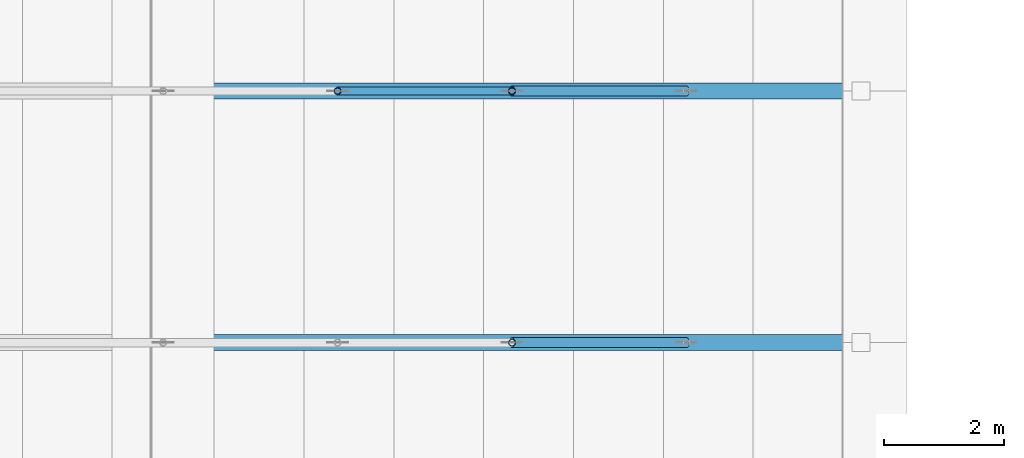
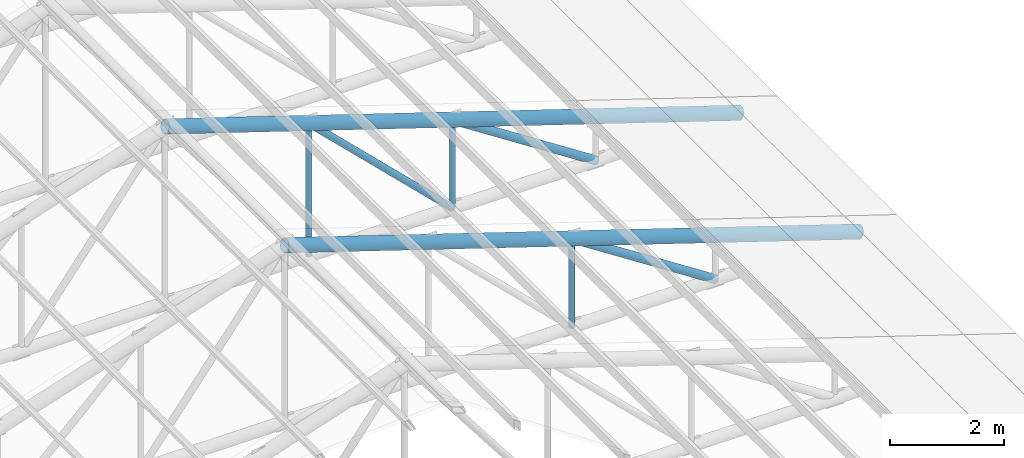
# One storey, part 47 of 95: 8 members.
"""IFC4 building model written with IfcOpenShell, lengths in metres."""

from ifc_helpers import new_model, si_unit, direction, frame, origin, origin_2d, place, context, subcontext, project, spatial, hollow_circle, extrude, material, material_profile, profile_set, type_object, element, save


model = new_model("IFC4")

# Units and contexts
model_context = context("Model", 3, precision=1e-05, world=origin(), true_north=direction((0.0, 1.0)))
body_context = subcontext(model_context, "Body", "Model", "MODEL_VIEW")
ifc_project = project(units=[si_unit("LENGTHUNIT", "METRE"), si_unit("AREAUNIT", "SQUARE_METRE"), si_unit("VOLUMEUNIT", "CUBIC_METRE"), si_unit("PLANEANGLEUNIT", "RADIAN"), si_unit("MASSUNIT", "GRAM", prefix="KILO")], contexts=[model_context])

# Site, building, storey
site_placement = place(None, origin())
site = spatial("IfcSite", under=ifc_project, at=site_placement, CompositionType="ELEMENT")
building_placement = place(site_placement, origin())
building = spatial("IfcBuilding", under=site, at=building_placement, Name="Kiln Court Media Centre", CompositionType="ELEMENT")
storey_placement = place(building_placement, frame((0.0, 0.0, 24.60009765625)))
storey = spatial("IfcBuildingStorey", under=building, at=storey_placement, Name="L05", CompositionType="ELEMENT", Elevation=24.60009765625)

# Members
ifc_material_1 = material(Name="Steel ASTM A500 Gr C", Category="steel")
ifc_material_profile_1 = material_profile(ifc_material_1, hollow_circle(Radius=0.05712890625, WallThickness=0.0048828125, at=origin_2d()), Name="CHS 114.3x5.0")
ifc_profile_set_1 = profile_set([ifc_material_profile_1], Name="Steel ASTM A500 Gr C")
member_type_1 = type_object("IfcMemberType", Name="Steel ASTM A500 Gr C CHS 114.3x5.0 truss web", PredefinedType="BRACE", material=ifc_profile_set_1)
member_1_placement = place(storey_placement, frame((52.22509765625, 50.39990234375, -0.013916015625), z_axis=(0.0, 0.0, 1.0), x_axis=(1.0, 0.0, 0.0)))
element("IfcMember", 1, at=member_1_placement, inside=storey, type_object=member_type_1, Name="foyer truss FT-07 post 6 truss web", PredefinedType="BRACE", context=body_context, shape_type="SweptSolid", body=[
    extrude(hollow_circle(Radius=0.05712890625, WallThickness=0.0048828125, at=origin_2d()), origin(), (0.0, 0.0, 1.0), 1.892822265625),
])
member_2_placement = place(storey_placement, frame((49.3125, 54.60009765625, -0.013916015625), z_axis=(0.0, 0.0, 1.0), x_axis=(1.0, 0.0, 0.0)))
element("IfcMember", 2, at=member_2_placement, inside=storey, type_object=member_type_1, Name="foyer truss FT-08 post 5 truss web", PredefinedType="BRACE", context=body_context, shape_type="SweptSolid", body=[
    extrude(hollow_circle(Radius=0.05712890625, WallThickness=0.0048828125, at=origin_2d()), origin(), (0.0, 0.0, 1.0), 2.839111328125),
])
member_3_placement = place(storey_placement, frame((52.22509765625, 54.60009765625, -0.013916015625), z_axis=(0.0, 0.0, 1.0), x_axis=(1.0, 0.0, 0.0)))
element("IfcMember", 3, at=member_3_placement, inside=storey, type_object=member_type_1, Name="foyer truss FT-08 post 6 truss web", PredefinedType="BRACE", context=body_context, shape_type="SweptSolid", body=[
    extrude(hollow_circle(Radius=0.05712890625, WallThickness=0.0048828125, at=origin_2d()), origin(), (0.0, 0.0, 1.0), 1.892822265625),
])
ifc_material_2 = material(Name="Steel ASTM A500 Gr C", Category="steel")
ifc_material_profile_2 = material_profile(ifc_material_2, hollow_circle(Radius=0.06982421875, WallThickness=0.0048828125, at=origin_2d()), Name="CHS 139.7x5.0")
ifc_profile_set_2 = profile_set([ifc_material_profile_2], Name="Steel ASTM A500 Gr C")
member_type_2 = type_object("IfcMemberType", Name="Steel ASTM A500 Gr C CHS 139.7x5.0 truss web", PredefinedType="BRACE", material=ifc_profile_set_2)
member_4_placement = place(storey_placement, frame((49.3125, 54.60009765625, 2.8251953125), z_axis=(0.716082640751, 0.0, -0.69801550958), x_axis=(0.0, 1.0, 0.0)))
element("IfcMember", 4, at=member_4_placement, inside=storey, type_object=member_type_2, Name="foyer truss FT-08 diagonal 6 truss web", PredefinedType="BRACE", context=body_context, shape_type="SweptSolid", body=[
    extrude(hollow_circle(Radius=0.06982421875, WallThickness=0.0048828125, at=origin_2d()), origin(), (0.0, 0.0, 1.0), 4.0673828125),
])
ifc_material_3 = material(Name="Steel ASTM A500 Gr C", Category="steel")
ifc_material_profile_3 = material_profile(ifc_material_3, hollow_circle(Radius=0.084228515625, WallThickness=0.00634765625, at=origin_2d()), Name="CHS 168.3x6.3")
ifc_profile_set_3 = profile_set([ifc_material_profile_3], Name="Steel ASTM A500 Gr C")
member_type_3 = type_object("IfcMemberType", Name="Steel ASTM A500 Gr C CHS 168.3x6.3 truss web", PredefinedType="BRACE", material=ifc_profile_set_3)
for number, where, z_axis, x_axis, name in (
    (5, (52.22509765625, 50.39990234375, 1.87890625), (0.838470915332, 0.0, -0.544946349784), (0.0, 1.0, 0.0), "foyer truss FT-07 diagonal 7 truss web"),
    (6, (52.22509765625, 54.60009765625, 1.87890625), (0.838470915332, 0.0, -0.544946349784), (0.0, 1.0, 0.0), "foyer truss FT-08 diagonal 7 truss web"),
):
    element("IfcMember", number, at=place(storey_placement, frame(where, z_axis=z_axis, x_axis=x_axis)), inside=storey, type_object=member_type_3, Name=name, PredefinedType="BRACE", context=body_context, shape_type="SweptSolid", body=[
        extrude(hollow_circle(Radius=0.084228515625, WallThickness=0.00634765625, at=origin_2d()), origin(), (0.0, 0.0, 1.0), 3.473388671875),
    ])
ifc_material_4 = material(Name="Steel ASTM A500 Gr C", Category="steel")
ifc_material_profile_4 = material_profile(ifc_material_4, hollow_circle(Radius=0.136474609375, WallThickness=0.010009765625, at=origin_2d()), Name="CHS 273.0x10.0")
ifc_profile_set_4 = profile_set([ifc_material_profile_4], Name="Steel ASTM A500 Gr C")
member_type_4 = type_object("IfcMemberType", Name="Steel ASTM A500 Gr C CHS 273.0x10.0 truss chord", PredefinedType="CHORD", material=ifc_profile_set_4)
for number, where, z_axis, x_axis, name in (
    (7, (46.39990234375, 50.39990234375, 3.771484375), (0.951055596592, 0.0, -0.309019824916), (0.0, 1.0, 0.0), "foyer truss FT-07 east rafter truss chord"),
    (8, (46.39990234375, 54.60009765625, 3.771484375), (0.951055596592, 0.0, -0.309019824916), (0.0, 1.0, 0.0), "foyer truss FT-08 east rafter truss chord"),
):
    element("IfcMember", number, at=place(storey_placement, frame(where, z_axis=z_axis, x_axis=x_axis)), inside=storey, type_object=member_type_4, Name=name, PredefinedType="CHORD", context=body_context, shape_type="SweptSolid", body=[
        extrude(hollow_circle(Radius=0.136474609375, WallThickness=0.010009765625, at=origin_2d()), origin(), (0.0, 0.0, 1.0), 12.249755859375),
    ])

save(model, "model.ifc")
